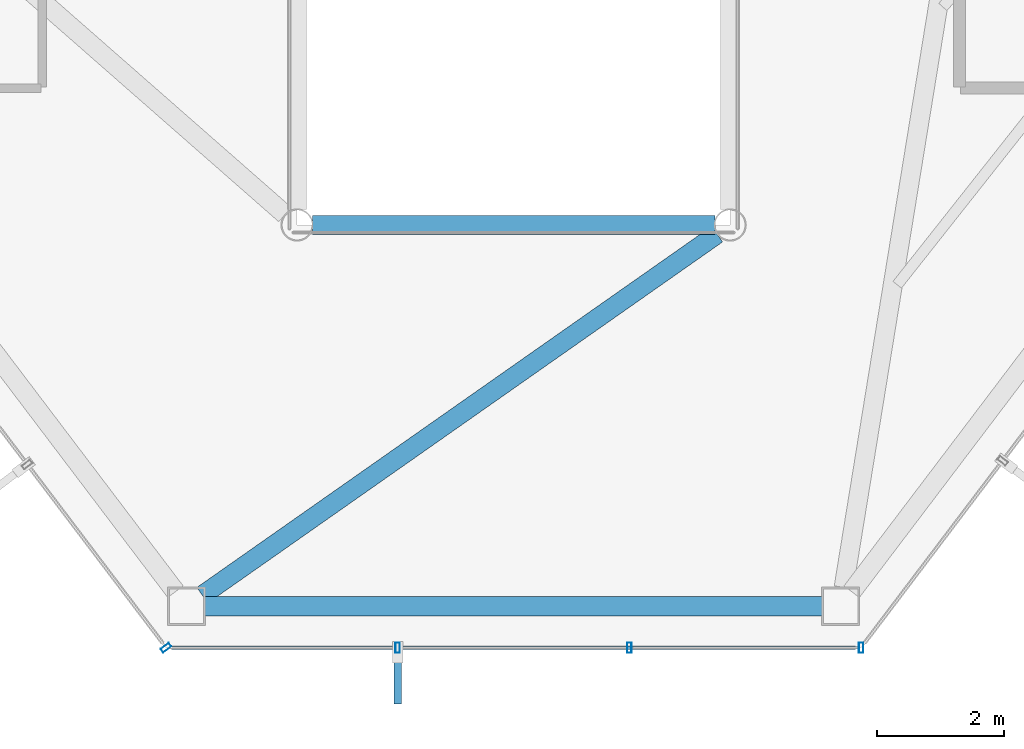
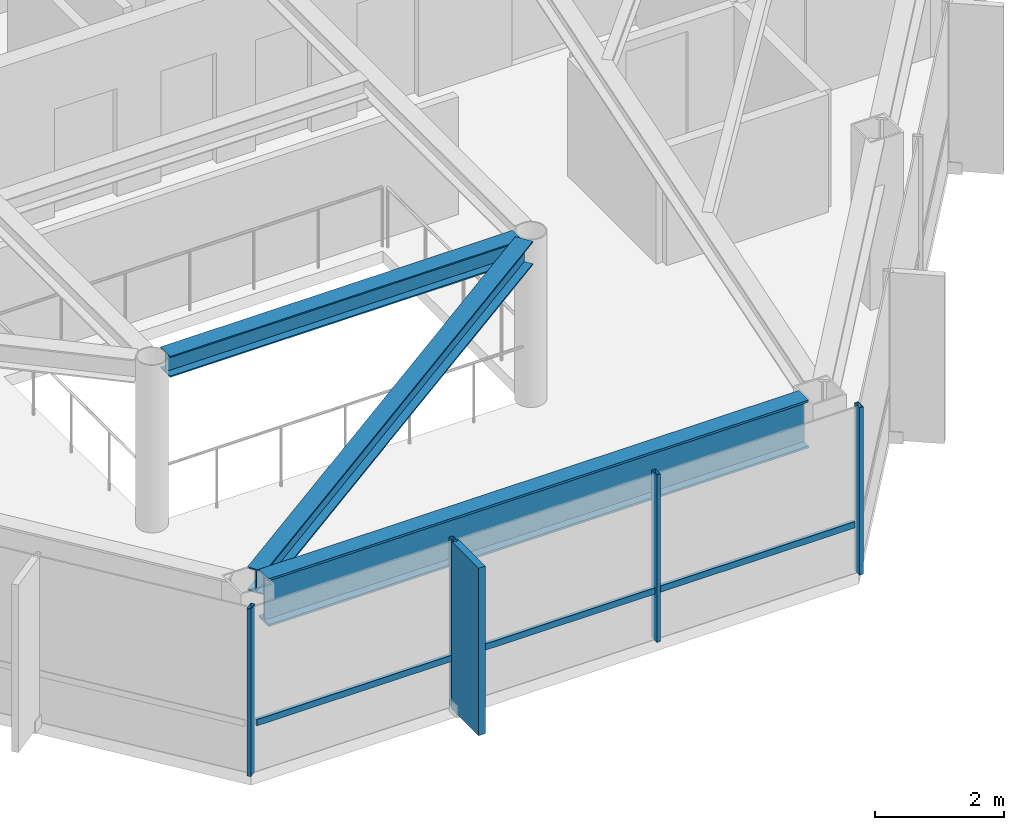
# One storey, part 5 of 25: 6 members, 3 beams, 2 elements without a shape of their own.
"""IFC4 building model written with IfcOpenShell, lengths in metres."""

from ifc_helpers import new_model, si_unit, direction, frame, origin, origin_2d, place, context, subcontext, project, spatial, rectangle, hollow_rectangle, i_section, extrude, material, layer, layer_set, material_profile, profile_set, type_object, element, aggregate, save


model = new_model("IFC4")

# Units and contexts
model_context = context("Model", 3, precision=1e-05, world=origin(), true_north=direction((0.0, 1.0)))
body_context = subcontext(model_context, "Body", "Model", "MODEL_VIEW")
ifc_project = project(units=[si_unit("LENGTHUNIT", "METRE"), si_unit("AREAUNIT", "SQUARE_METRE"), si_unit("VOLUMEUNIT", "CUBIC_METRE"), si_unit("PLANEANGLEUNIT", "RADIAN"), si_unit("MASSUNIT", "GRAM", prefix="KILO")], contexts=[model_context])

# Site, building, storey
site_placement = place(None, origin())
site = spatial("IfcSite", under=ifc_project, at=site_placement, CompositionType="ELEMENT")
building_placement = place(site_placement, origin())
building = spatial("IfcBuilding", under=site, at=building_placement, Name="Zarrinselat Tower", CompositionType="ELEMENT")
storey_placement = place(building_placement, frame((0.0, 0.0, 242.760009765625)))
storey = spatial("IfcBuildingStorey", under=building, at=storey_placement, Name="L61", CompositionType="ELEMENT", Elevation=242.760009765625)

# Beams
ifc_material_1 = material(Name="Steel S355J2", Category="steel")
ifc_material_profile_1 = material_profile(ifc_material_1, i_section(OverallWidth=0.300048828125, OverallDepth=0.39990234375, WebThickness=0.013427734375, FlangeThickness=0.02392578125, at=origin_2d()), Name="HEB 400")
ifc_profile_set_1 = profile_set([ifc_material_profile_1], Name="Steel S355J2")
beam_type_1 = type_object("IfcBeamType", Name="BM-HEB400", PredefinedType="BEAM", material=ifc_profile_set_1)
beam_1_placement = place(storey_placement, frame((35.239990234375, 25.199951171875, 2.97998046875), z_axis=(1.0, 0.0, 0.0), x_axis=(0.0, 1.0, 0.0)))
element("IfcBeam", 1, at=beam_1_placement, inside=storey, type_object=beam_type_1, Name="L61 Atrium Edge Beam S", PredefinedType="BEAM", context=body_context, shape_type="SweptSolid", body=[
    extrude(i_section(OverallWidth=0.300048828125, OverallDepth=0.39990234375, WebThickness=0.013427734375, FlangeThickness=0.02392578125, at=origin_2d()), origin(), (0.0, 0.0, 1.0), 6.320068359375),
])
ifc_material_2 = material(Name="Steel S355J2", Category="steel")
ifc_material_profile_2 = material_profile(ifc_material_2, i_section(OverallWidth=0.300048828125, OverallDepth=0.449951171875, WebThickness=0.013916015625, FlangeThickness=0.02587890625, at=origin_2d()), Name="HEB 450")
ifc_profile_set_2 = profile_set([ifc_material_profile_2], Name="Steel S355J2")
beam_type_2 = type_object("IfcBeamType", Name="BM-HEB450", PredefinedType="BEAM", material=ifc_profile_set_2)
beam_2_placement = place(storey_placement, frame((33.511962890625, 19.385986328125, 2.955078125), z_axis=(0.818654177418, 0.574286807959, 0.0), x_axis=(-0.574286807959, 0.818654177418, 0.0)))
element("IfcBeam", 2, at=beam_2_placement, inside=storey, type_object=beam_type_2, Name="L61 Radial Primary Girder RG10", PredefinedType="BEAM", context=body_context, shape_type="SweptSolid", body=[
    extrude(i_section(OverallWidth=0.300048828125, OverallDepth=0.449951171875, WebThickness=0.013916015625, FlangeThickness=0.02587890625, at=origin_2d()), origin(), (0.0, 0.0, 1.0), 9.873779296875),
])
ifc_material_3 = material(Name="Steel S460M", Category="steel")
ifc_material_profile_3 = material_profile(ifc_material_3, i_section(OverallWidth=0.302001953125, OverallDepth=0.909912109375, WebThickness=0.02099609375, FlangeThickness=0.0400390625, at=origin_2d()), Name="HEM 900")
ifc_profile_set_3 = profile_set([ifc_material_profile_3], Name="Steel S460M")
beam_type_3 = type_object("IfcBeamType", Name="BM-HEM900", PredefinedType="BEAM", material=ifc_profile_set_3)
beam_3_placement = place(storey_placement, frame((33.552734375, 19.212646484375, 2.72509765625), z_axis=(1.0, 0.0, 0.0), x_axis=(0.0, 1.0, 0.0)))
element("IfcBeam", 3, at=beam_3_placement, inside=storey, type_object=beam_type_3, Name="L61 Perimeter Spandrel Girder SP10", PredefinedType="BEAM", context=body_context, shape_type="SweptSolid", body=[
    extrude(i_section(OverallWidth=0.302001953125, OverallDepth=0.909912109375, WebThickness=0.02099609375, FlangeThickness=0.0400390625, at=origin_2d()), origin(), (0.0, 0.0, 1.0), 9.694580078125),
])

# Curtain wall, member
ifc_material_4 = material(Name="Extruded Aluminium Alloy EN AW-6063 T6", Category="aluminium")
ifc_layer = layer(ifc_material_4, 0.169921875)
ifc_layer_set = layer_set([ifc_layer], Name="Extruded Aluminium Alloy EN AW-6063 T6")
curtain_wall_type = type_object("IfcCurtainWallType", Name="CWS-RES", PredefinedType="NOTDEFINED", material=ifc_layer_set)
curtain_wall_1_placement = place(storey_placement, origin())
curtain_wall_1 = element("IfcCurtainWall", 4, at=curtain_wall_1_placement, inside=storey, type_object=curtain_wall_type, Name="L61 Unitised Curtain Wall CW-L61-E03", PredefinedType="NOTDEFINED")
ifc_material_5 = material(Name="Extruded Aluminium Alloy EN AW-6063 T6", Category="aluminium")
ifc_material_profile_4 = material_profile(ifc_material_5, hollow_rectangle(XDim=0.070068359375, YDim=0.159912109375, WallThickness=0.00390625, at=origin_2d()), Name="RHS 160x70x4")
ifc_profile_set_4 = profile_set([ifc_material_profile_4], Name="Extruded Aluminium Alloy EN AW-6063 T6")
member_type_1 = type_object("IfcMemberType", Name="MEM-CW-MUL2", PredefinedType="MULLION", material=ifc_profile_set_4)
member_1_placement = place(storey_placement, frame((32.94189453125, 18.562744140625, 0.0), z_axis=(0.0, 0.0, 1.0), x_axis=(0.603857888062, -0.797091996588, 0.0)))
member_1 = element("IfcMember", 5, at=member_1_placement, type_object=member_type_1, Name="CW-L61-E03 Mullion 8", PredefinedType="MULLION", context=body_context, shape_type="SweptSolid", body=[
    extrude(hollow_rectangle(XDim=0.070068359375, YDim=0.159912109375, WallThickness=0.00390625, at=origin_2d()), origin(), (0.0, 0.0, 1.0), 3.179931640625),
])
aggregate(curtain_wall_1, [member_1])

# Curtain wall, members
curtain_wall_2_placement = place(storey_placement, origin())
curtain_wall_2 = element("IfcCurtainWall", 6, at=curtain_wall_2_placement, inside=storey, type_object=curtain_wall_type, Name="L61 Unitised Curtain Wall CW-L61-E04", PredefinedType="NOTDEFINED")
member_2_placement = place(storey_placement, frame((36.58056640625, 18.562744140625, 0.0), z_axis=(0.0, 0.0, 1.0), x_axis=(1.0, 0.0, 0.0)))
member_2 = element("IfcMember", 7, at=member_2_placement, type_object=member_type_1, Name="CW-L61-E04 Mullion 1", PredefinedType="MULLION", context=body_context, shape_type="SweptSolid", body=[
    extrude(hollow_rectangle(XDim=0.070068359375, YDim=0.159912109375, WallThickness=0.00390625, at=origin_2d()), origin(), (0.0, 0.0, 1.0), 3.179931640625),
])
member_3_placement = place(storey_placement, frame((40.219482421875, 18.562744140625, 0.0), z_axis=(0.0, 0.0, 1.0), x_axis=(1.0, 0.0, 0.0)))
member_3 = element("IfcMember", 8, at=member_3_placement, type_object=member_type_1, Name="CW-L61-E04 Mullion 2", PredefinedType="MULLION", context=body_context, shape_type="SweptSolid", body=[
    extrude(hollow_rectangle(XDim=0.070068359375, YDim=0.159912109375, WallThickness=0.00390625, at=origin_2d()), origin(), (0.0, 0.0, 1.0), 3.179931640625),
])
member_4_placement = place(storey_placement, frame((43.858154296875, 18.562744140625, 0.0), z_axis=(0.0, 0.0, 1.0), x_axis=(1.0, 0.0, 0.0)))
member_4 = element("IfcMember", 9, at=member_4_placement, type_object=member_type_1, Name="CW-L61-E04 Mullion 3", PredefinedType="MULLION", context=body_context, shape_type="SweptSolid", body=[
    extrude(hollow_rectangle(XDim=0.070068359375, YDim=0.159912109375, WallThickness=0.00390625, at=origin_2d()), origin(), (0.0, 0.0, 1.0), 3.179931640625),
])
ifc_material_6 = material(Name="Extruded Aluminium Alloy EN AW-6063 T6", Category="aluminium")
ifc_material_profile_5 = material_profile(ifc_material_6, hollow_rectangle(XDim=0.06005859375, YDim=0.1201171875, WallThickness=0.00390625, at=origin_2d()), Name="RHS 120x60x4")
ifc_profile_set_5 = profile_set([ifc_material_profile_5], Name="Extruded Aluminium Alloy EN AW-6063 T6")
member_type_2 = type_object("IfcMemberType", Name="MEM-CW-TRN2", PredefinedType="USERDEFINED", material=ifc_profile_set_5)
member_5_placement = place(storey_placement, frame((33.03173828125, 18.562744140625, 0.949951171875), z_axis=(1.0, 0.0, 0.0), x_axis=(0.0, 1.0, 0.0)))
member_5 = element("IfcMember", 10, at=member_5_placement, type_object=member_type_2, Name="CW-L61-E04 Transom 1", ObjectType="TRANSOM", PredefinedType="USERDEFINED", context=body_context, shape_type="SweptSolid", body=[
    extrude(hollow_rectangle(XDim=0.06005859375, YDim=0.1201171875, WallThickness=0.00390625, at=origin_2d()), origin(), (0.0, 0.0, 1.0), 10.736572265625),
])
ifc_material_7 = material(Name="Honed Cream Travertine Stone", Category="masonry")
ifc_material_profile_6 = material_profile(ifc_material_7, rectangle(XDim=0.1201171875, YDim=0.85009765625, at=origin_2d()), Name="FIN 850x120")
ifc_profile_set_6 = profile_set([ifc_material_profile_6], Name="Honed Cream Travertine Stone")
member_type_3 = type_object("IfcMemberType", Name="MEM-STONE-FIN", PredefinedType="USERDEFINED", material=ifc_profile_set_6)
member_6_placement = place(storey_placement, frame((36.58056640625, 18.102783203125, 0.0), z_axis=(0.0, 0.0, 1.0), x_axis=(-1.0, 0.0, 0.0)))
member_6 = element("IfcMember", 11, at=member_6_placement, type_object=member_type_3, Name="L61 Stone Shading Fin CW-L61-E04-01", ObjectType="FIN", PredefinedType="USERDEFINED", context=body_context, shape_type="SweptSolid", body=[
    extrude(rectangle(XDim=0.1201171875, YDim=0.85009765625, at=origin_2d()), origin(), (0.0, 0.0, 1.0), 3.179931640625),
])
aggregate(curtain_wall_2, [member_2, member_6, member_3, member_4, member_5])

save(model, "model.ifc")
